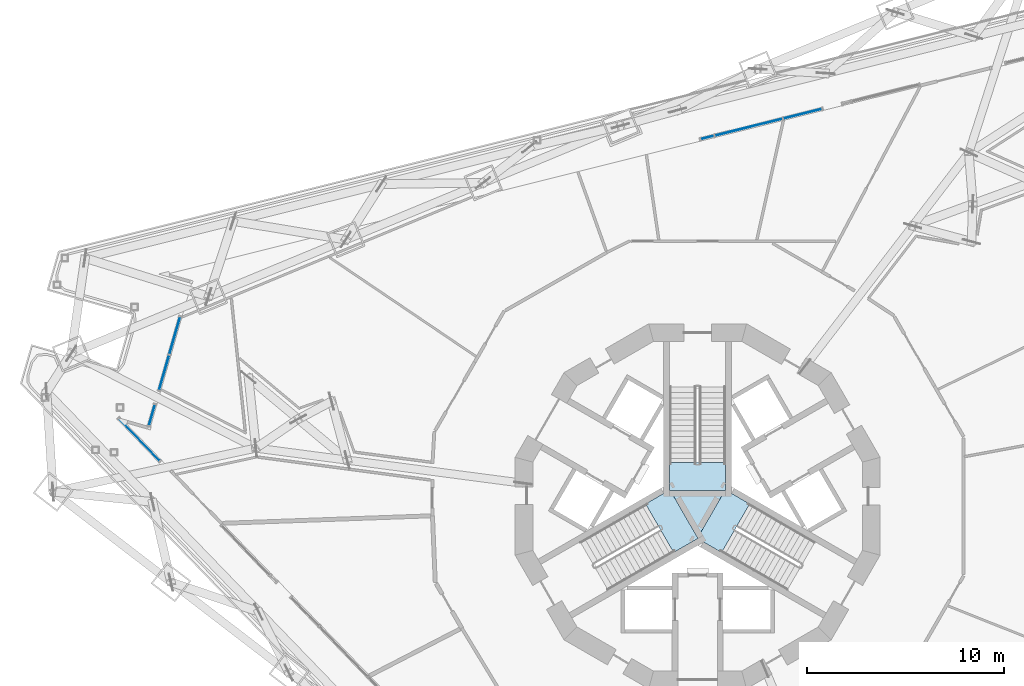
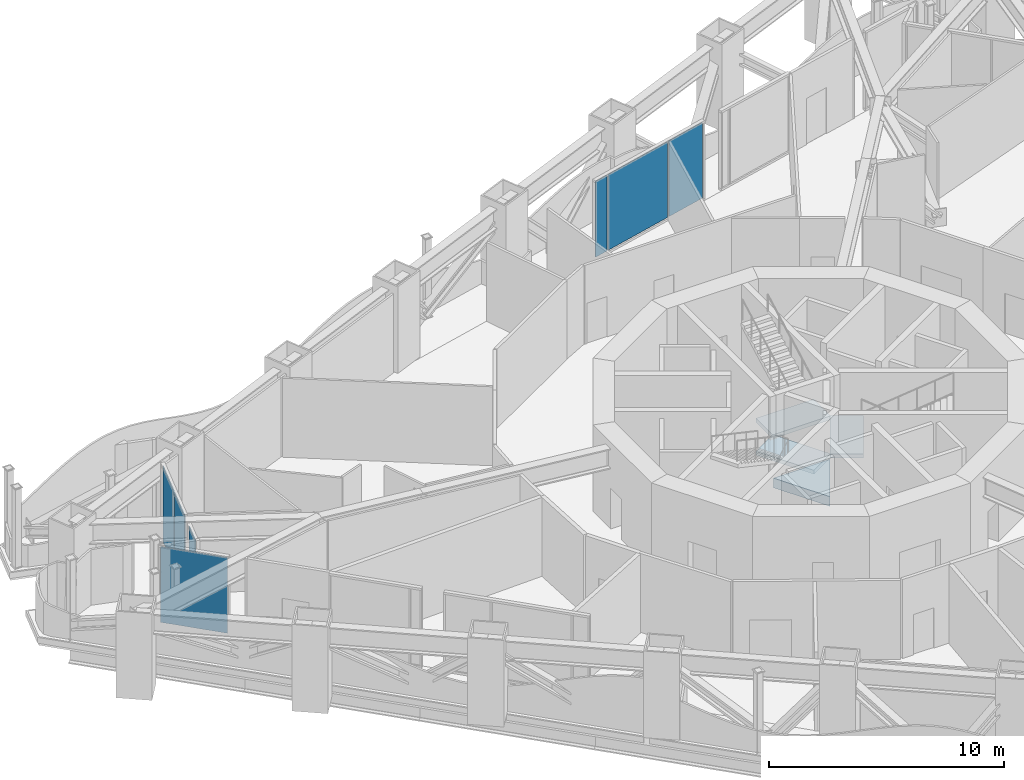
# One storey, part 10 of 26: 7 plates, 4 slabs, 7 elements without a shape of their own.
"""IFC4 building model written with IfcOpenShell, lengths in metres."""

from ifc_helpers import new_model, si_unit, direction, frame, origin, origin_2d, place, context, subcontext, project, spatial, polyline, rectangle, outline, extrude, material, layer, layer_set, type_object, element, aggregate, save


model = new_model("IFC4")

# Units and contexts
model_context = context("Model", 3, precision=1e-05, world=origin(), true_north=direction((0.0, 1.0)))
body_context = subcontext(model_context, "Body", "Model", "MODEL_VIEW")
ifc_project = project(units=[si_unit("LENGTHUNIT", "METRE"), si_unit("AREAUNIT", "SQUARE_METRE"), si_unit("VOLUMEUNIT", "CUBIC_METRE"), si_unit("PLANEANGLEUNIT", "RADIAN"), si_unit("MASSUNIT", "GRAM", prefix="KILO")], contexts=[model_context])

# Site, building, storey
site_placement = place(None, origin())
site = spatial("IfcSite", under=ifc_project, at=site_placement, CompositionType="ELEMENT")
building_placement = place(site_placement, origin())
building = spatial("IfcBuilding", under=site, at=building_placement, Name="Trine Commons Tower", CompositionType="ELEMENT")
storey_placement = place(building_placement, frame((0.0, 0.0, 119.699951171875)))
storey = spatial("IfcBuildingStorey", under=building, at=storey_placement, Name="L30", CompositionType="ELEMENT", Elevation=119.699951171875)

# Curtain wall, plate
ifc_material_1 = material(Name="Sky lounge glazing: anodised aluminium frame with low-emissivity double glazed unit, solar control", Category="aluminium")
ifc_layer_1 = layer(ifc_material_1, 0.179931640625)
ifc_layer_set_1 = layer_set([ifc_layer_1], Name="Sky lounge glazing: anodised aluminium frame with low-emissivity double glazed unit, solar control")
curtain_wall_type = type_object("IfcCurtainWallType", Name="Sky lounge glazing curtain wall CW5", PredefinedType="NOTDEFINED", material=ifc_layer_set_1)
curtain_wall_1_placement = place(storey_placement, origin())
curtain_wall_1 = element("IfcCurtainWall", 1, at=curtain_wall_1_placement, inside=storey, type_object=curtain_wall_type, Name="Sky lounge glazing L30 P1.1", PredefinedType="NOTDEFINED")
ifc_material_2 = material(Name="Low-emissivity double glazed unit, solar control")
ifc_layer_2 = layer(ifc_material_2, 0.031982421875)
ifc_layer_set_2 = layer_set([ifc_layer_2], Name="Low-emissivity double glazed unit, solar control")
plate_type = type_object("IfcPlateType", Name="Double glazed unit 32 mm (sky floors)", PredefinedType="CURTAIN_PANEL", material=ifc_layer_set_2)
plate_1_placement = place(storey_placement, frame((52.275634765625, 67.134765625, 0.10986328125), z_axis=(0.0, 0.0, 1.0), x_axis=(0.275637355817, 0.961261695938, 0.0)))
plate_1 = element("IfcPlate", 2, at=plate_1_placement, type_object=plate_type, Name="CW5 panel 1.1", PredefinedType="CURTAIN_PANEL", context=body_context, shape_type="SweptSolid", body=[
    extrude(rectangle(XDim=1.07666015625, YDim=0.031982421875, at=origin_2d()), origin(), (0.0, 0.0, 1.0), 3.929931640625),
])
aggregate(curtain_wall_1, [plate_1])

# Curtain wall, plates
curtain_wall_2_placement = place(storey_placement, origin())
curtain_wall_2 = element("IfcCurtainWall", 3, at=curtain_wall_2_placement, inside=storey, type_object=curtain_wall_type, Name="Sky lounge glazing L30 P1.2", PredefinedType="NOTDEFINED")
plate_2_placement = place(storey_placement, frame((52.892822265625, 69.287353515625, 0.10986328125), z_axis=(0.0, 0.0, 1.0), x_axis=(0.275637355817, 0.961261695938, 0.0)))
plate_2 = element("IfcPlate", 4, at=plate_2_placement, type_object=plate_type, Name="CW5 panel 1.1", PredefinedType="CURTAIN_PANEL", context=body_context, shape_type="SweptSolid", body=[
    extrude(rectangle(XDim=1.819580078125, YDim=0.031982421875, at=origin_2d()), origin(), (0.0, 0.0, 1.0), 3.929931640625),
])
plate_3_placement = place(storey_placement, frame((53.433349609375, 71.17236328125, 0.10986328125), z_axis=(0.0, 0.0, 1.0), x_axis=(0.275637355817, 0.961261695938, 0.0)))
plate_3 = element("IfcPlate", 5, at=plate_3_placement, type_object=plate_type, Name="CW5 panel 2.1", PredefinedType="CURTAIN_PANEL", context=body_context, shape_type="SweptSolid", body=[
    extrude(rectangle(XDim=1.9521484375, YDim=0.031982421875, at=origin_2d()), origin(), (0.0, 0.0, 1.0), 3.929931640625),
])
aggregate(curtain_wall_2, [plate_2, plate_3])

curtain_wall_3_placement = place(storey_placement, origin())
curtain_wall_3 = element("IfcCurtainWall", 6, at=curtain_wall_3_placement, inside=storey, type_object=curtain_wall_type, Name="Sky lounge glazing L30 F1.1", PredefinedType="NOTDEFINED")
plate_4_placement = place(storey_placement, frame((80.494140625, 81.235107421875, 0.10986328125), z_axis=(0.0, 0.0, 1.0), x_axis=(0.970295726276, 0.2419218956, 0.0)))
plate_4 = element("IfcPlate", 7, at=plate_4_placement, type_object=plate_type, Name="CW5 panel 1.1", PredefinedType="CURTAIN_PANEL", context=body_context, shape_type="SweptSolid", body=[
    extrude(rectangle(XDim=0.66650390625, YDim=0.031982421875, at=origin_2d()), origin(), (0.0, 0.0, 1.0), 3.929931640625),
])
plate_5_placement = place(storey_placement, frame((82.594482421875, 81.7587890625, 0.10986328125), z_axis=(0.0, 0.0, 1.0), x_axis=(0.970295726276, 0.2419218956, 0.0)))
plate_5 = element("IfcPlate", 8, at=plate_5_placement, type_object=plate_type, Name="CW5 panel 2.1", PredefinedType="CURTAIN_PANEL", context=body_context, shape_type="SweptSolid", body=[
    extrude(rectangle(XDim=3.51318359375, YDim=0.031982421875, at=origin_2d()), origin(), (0.0, 0.0, 1.0), 3.929931640625),
])
plate_6_placement = place(storey_placement, frame((85.3349609375, 82.44189453125, 0.10986328125), z_axis=(0.0, 0.0, 1.0), x_axis=(0.970295726276, 0.2419218956, 0.0)))
plate_6 = element("IfcPlate", 9, at=plate_6_placement, type_object=plate_type, Name="CW5 panel 3.1", PredefinedType="CURTAIN_PANEL", context=body_context, shape_type="SweptSolid", body=[
    extrude(rectangle(XDim=1.9853515625, YDim=0.031982421875, at=origin_2d()), origin(), (0.0, 0.0, 1.0), 3.929931640625),
])
aggregate(curtain_wall_3, [plate_4, plate_5, plate_6])

# Curtain wall, plate
curtain_wall_4_placement = place(storey_placement, origin())
curtain_wall_4 = element("IfcCurtainWall", 10, at=curtain_wall_4_placement, inside=storey, type_object=curtain_wall_type, Name="Sky lounge glazing L30 F3.3", PredefinedType="NOTDEFINED")
plate_7_placement = place(storey_placement, frame((51.62841796875, 65.8828125, 0.10986328125), z_axis=(0.0, 0.0, 1.0), x_axis=(-0.694658370459, 0.719339800339, 0.0)))
plate_7 = element("IfcPlate", 11, at=plate_7_placement, type_object=plate_type, Name="CW5 panel 1.1", PredefinedType="CURTAIN_PANEL", context=body_context, shape_type="SweptSolid", body=[
    extrude(rectangle(XDim=2.958740234375, YDim=0.031982421875, at=origin_2d()), origin(), (0.0, 0.0, 1.0), 3.929931640625),
])
aggregate(curtain_wall_4, [plate_7])

# Stair, slab
ifc_material_3 = material(Name="Concrete C50/60", Category="concrete")
stair_type = type_object("IfcStairType", Name="Exit stair, dog-leg, 30 risers of 150 mm", PredefinedType="HALF_TURN_STAIR", material=ifc_material_3)
stair_1_placement = place(storey_placement, origin())
stair_1 = element("IfcStair", 12, at=stair_1_placement, inside=storey, type_object=stair_type, Name="L30 Exit stair ST1B", PredefinedType="HALF_TURN_STAIR")
ifc_layer_3 = layer(ifc_material_3, 0.199951171875)
ifc_layer_set_3 = layer_set([ifc_layer_3], Name="Concrete C50/60")
slab_type_1 = type_object("IfcSlabType", Name="Stair landing slab 200 mm, C50/60", PredefinedType="LANDING", material=ifc_layer_set_3)
slab_1_placement = place(storey_placement, frame((0.0, 0.0, 2.050048828125)))
slab_1 = element("IfcSlab", 13, at=slab_1_placement, type_object=slab_type_1, Name="ST1B landing 1", PredefinedType="LANDING", context=body_context, shape_type="SweptSolid", body=[
    extrude(outline(polyline([(78.574951171875, 64.730712890625), (78.574951171875, 63.300537109375), (81.425048828125, 63.300537109375), (81.425048828125, 64.730712890625), (78.574951171875, 64.730712890625)])), origin(), (0.0, 0.0, 1.0), 0.199951171875),
])
aggregate(stair_1, [slab_1])

stair_2_placement = place(storey_placement, origin())
stair_2 = element("IfcStair", 14, at=stair_2_placement, inside=storey, type_object=stair_type, Name="L30 Exit stair ST2B", PredefinedType="HALF_TURN_STAIR")
slab_2_placement = place(storey_placement, frame((0.0, 0.0, 2.050048828125)))
slab_2 = element("IfcSlab", 15, at=slab_2_placement, type_object=slab_type_1, Name="ST2B landing 1", PredefinedType="LANDING", context=body_context, shape_type="SweptSolid", body=[
    extrude(outline(polyline([(78.78076171875, 60.150634765625), (80.019287109375, 60.86572265625), (78.59423828125, 63.333740234375), (77.355712890625, 62.618896484375), (78.78076171875, 60.150634765625)])), origin(), (0.0, 0.0, 1.0), 0.199951171875),
])
aggregate(stair_2, [slab_2])

stair_3_placement = place(storey_placement, origin())
stair_3 = element("IfcStair", 16, at=stair_3_placement, inside=storey, type_object=stair_type, Name="L30 Exit stair ST3B", PredefinedType="HALF_TURN_STAIR")
slab_3_placement = place(storey_placement, frame((0.0, 0.0, 2.050048828125)))
slab_3 = element("IfcSlab", 17, at=slab_3_placement, type_object=slab_type_1, Name="ST3B landing 1", PredefinedType="LANDING", context=body_context, shape_type="SweptSolid", body=[
    extrude(outline(polyline([(82.644287109375, 62.618896484375), (81.40576171875, 63.333740234375), (79.980712890625, 60.86572265625), (81.21923828125, 60.150634765625), (82.644287109375, 62.618896484375)])), origin(), (0.0, 0.0, 1.0), 0.199951171875),
])
aggregate(stair_3, [slab_3])

# Slab
ifc_layer_4 = layer(ifc_material_3, 0.5)
ifc_layer_set_4 = layer_set([ifc_layer_4], Name="Concrete C50/60")
slab_type_2 = type_object("IfcSlabType", Name="Transfer floor slab 500 mm, C50/60", PredefinedType="FLOOR", material=ifc_layer_set_4)
slab_4_placement = place(storey_placement, frame((0.0, 0.0, -0.5)))
element("IfcSlab", 18, at=slab_4_placement, inside=storey, type_object=slab_type_2, Name="Floor slab L30 2", PredefinedType="FLOOR", context=body_context, shape_type="SweptSolid", body=[
    extrude(outline(polyline([(78.61328125, 63.300537109375), (80.0, 60.89892578125), (81.38671875, 63.300537109375), (78.61328125, 63.300537109375)])), origin(), (0.0, 0.0, 1.0), 0.5),
])

save(model, "model.ifc")
